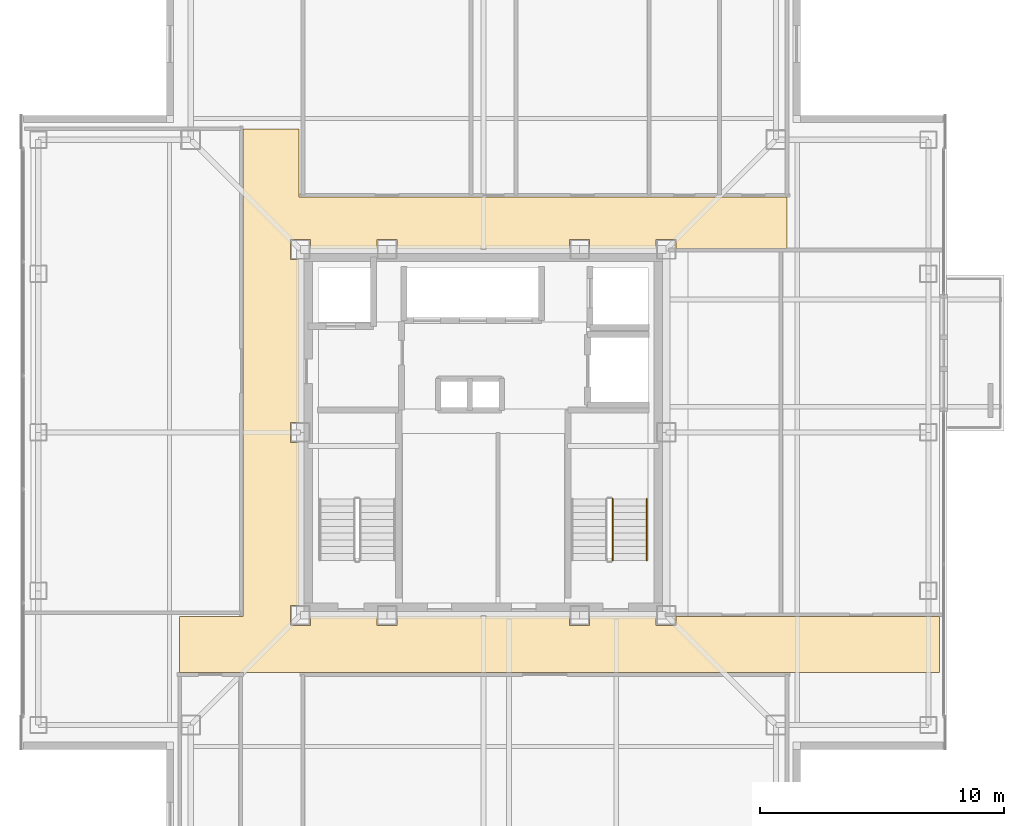
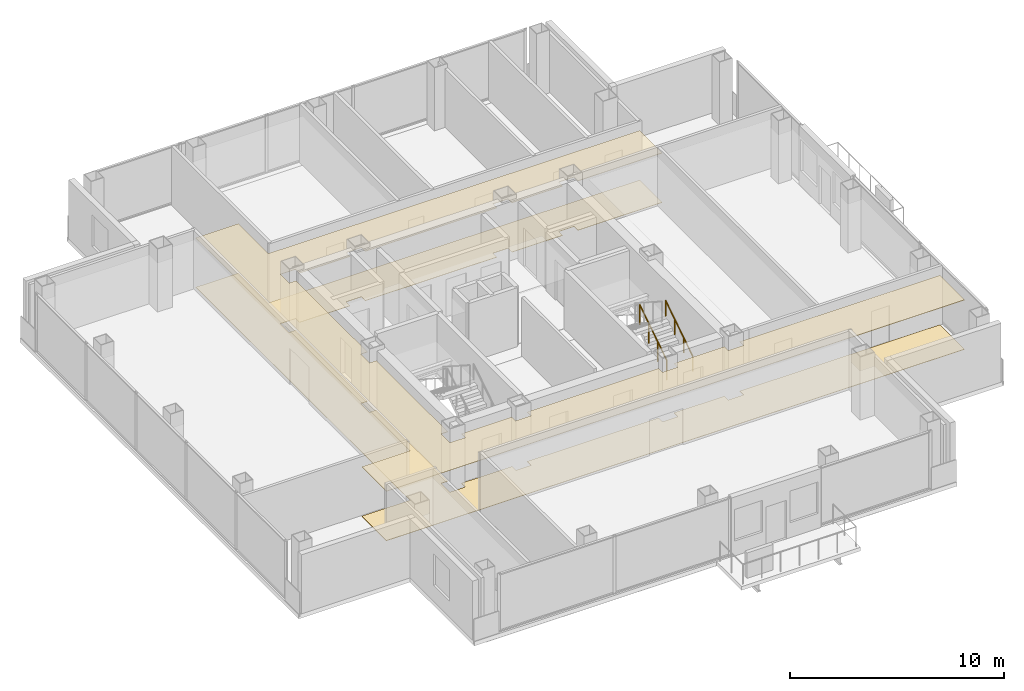
# One storey, part 13 of 15: 2 coverings, 2 railings.
"""IFC4 building model written with IfcOpenShell, lengths in metres."""

from ifc_helpers import new_model, si_unit, direction, frame, origin, origin_2d, place, context, subcontext, project, spatial, polyline, circle, outline, extrude, material, layer, layer_set, type_object, element, save


model = new_model("IFC4")

# Units and contexts
model_context = context("Model", 3, precision=1e-05, world=origin(), true_north=direction((0.0, 1.0)))
body_context = subcontext(model_context, "Body", "Model", "MODEL_VIEW")
ifc_project = project(units=[si_unit("LENGTHUNIT", "METRE"), si_unit("AREAUNIT", "SQUARE_METRE"), si_unit("VOLUMEUNIT", "CUBIC_METRE"), si_unit("PLANEANGLEUNIT", "RADIAN"), si_unit("MASSUNIT", "GRAM", prefix="KILO")], contexts=[model_context])

# Site, building, storey
site_placement = place(None, origin())
site = spatial("IfcSite", under=ifc_project, at=site_placement, CompositionType="ELEMENT")
building_placement = place(site_placement, origin())
building = spatial("IfcBuilding", under=site, at=building_placement, Name="Trevonay Congress Spire", CompositionType="ELEMENT")
storey_placement = place(building_placement, frame((0.0, 0.0, 243.199951171875)))
storey = spatial("IfcBuildingStorey", under=building, at=storey_placement, Name="L63", CompositionType="ELEMENT", Elevation=243.199951171875)

# Coverings
ifc_material_1 = material(Name="Acoustic Mineral Fibre Board", Category="gypsum")
ifc_layer_1 = layer(ifc_material_1, 0.02490234375, Name="Acoustic Mineral Fibre Board")
ifc_layer_set_1 = layer_set([ifc_layer_1], Name="Acoustic Mineral Fibre Board")
covering_type_1 = type_object("IfcCoveringType", Name="COV-CEIL-ACOUSTIC", PredefinedType="CEILING", material=ifc_layer_set_1)
covering_1_placement = place(storey_placement, frame((0.0, 0.0, 2.81005859375)))
element("IfcCovering", 1, at=covering_1_placement, inside=storey, type_object=covering_type_1, Name="L63 Cruciform Boulevard Corridor acoustic suspended ceiling", PredefinedType="CEILING", context=body_context, shape_type="SweptSolid", body=[
    extrude(outline(polyline([(18.699951171875, -7.550048828125), (18.699951171875, -9.85009765625), (-12.449951171875, -9.85009765625), (-12.449951171875, -7.550048828125), (-9.85009765625, -7.550048828125), (-9.85009765625, 12.449951171875), (-7.550048828125, 12.449951171875), (-7.550048828125, 9.64990234375), (12.449951171875, 9.64990234375), (12.449951171875, 7.550048828125), (7.909912109375, 7.550048828125), (7.909912109375, 7.909912109375), (7.090087890625, 7.909912109375), (7.090087890625, 7.550048828125), (4.360107421875, 7.550048828125), (4.360107421875, 7.909912109375), (3.5400390625, 7.909912109375), (3.5400390625, 7.550048828125), (-3.5400390625, 7.550048828125), (-3.5400390625, 7.909912109375), (-4.360107421875, 7.909912109375), (-4.360107421875, 7.550048828125), (-7.090087890625, 7.550048828125), (-7.090087890625, 7.909912109375), (-7.909912109375, 7.909912109375), (-7.909912109375, 7.090087890625), (-7.550048828125, 7.090087890625), (-7.550048828125, 0.409912109375), (-7.909912109375, 0.409912109375), (-7.909912109375, -0.409912109375), (-7.550048828125, -0.409912109375), (-7.550048828125, -7.090087890625), (-7.909912109375, -7.090087890625), (-7.909912109375, -7.909912109375), (-7.090087890625, -7.909912109375), (-7.090087890625, -7.550048828125), (-4.360107421875, -7.550048828125), (-4.360107421875, -7.909912109375), (-3.5400390625, -7.909912109375), (-3.5400390625, -7.550048828125), (3.5400390625, -7.550048828125), (3.5400390625, -7.909912109375), (4.360107421875, -7.909912109375), (4.360107421875, -7.550048828125), (7.090087890625, -7.550048828125), (7.090087890625, -7.909912109375), (7.909912109375, -7.909912109375), (7.909912109375, -7.550048828125), (18.699951171875, -7.550048828125)])), origin(), (0.0, 0.0, 1.0), 0.02490234375),
])
ifc_material_2 = material(Name="Polished Granite Floor Tile", Category="masonry")
ifc_layer_2 = layer(ifc_material_2, 0.02001953125, Name="Polished Granite Floor Tile")
ifc_layer_set_2 = layer_set([ifc_layer_2], Name="Polished Granite Floor Tile")
covering_type_2 = type_object("IfcCoveringType", Name="COV-FLOOR-STONE", PredefinedType="FLOORING", material=ifc_layer_set_2)
covering_2_placement = place(storey_placement, origin())
element("IfcCovering", 2, at=covering_2_placement, inside=storey, type_object=covering_type_2, Name="L63 Cruciform Boulevard Corridor floor finish", PredefinedType="FLOORING", context=body_context, shape_type="SweptSolid", body=[
    extrude(outline(polyline([(18.699951171875, -7.550048828125), (18.699951171875, -9.85009765625), (-12.449951171875, -9.85009765625), (-12.449951171875, -7.550048828125), (-9.85009765625, -7.550048828125), (-9.85009765625, 12.449951171875), (-7.550048828125, 12.449951171875), (-7.550048828125, 9.64990234375), (12.449951171875, 9.64990234375), (12.449951171875, 7.550048828125), (7.909912109375, 7.550048828125), (7.909912109375, 7.909912109375), (7.090087890625, 7.909912109375), (7.090087890625, 7.550048828125), (4.360107421875, 7.550048828125), (4.360107421875, 7.909912109375), (3.5400390625, 7.909912109375), (3.5400390625, 7.550048828125), (-3.5400390625, 7.550048828125), (-3.5400390625, 7.909912109375), (-4.360107421875, 7.909912109375), (-4.360107421875, 7.550048828125), (-7.090087890625, 7.550048828125), (-7.090087890625, 7.909912109375), (-7.909912109375, 7.909912109375), (-7.909912109375, 7.090087890625), (-7.550048828125, 7.090087890625), (-7.550048828125, 0.409912109375), (-7.909912109375, 0.409912109375), (-7.909912109375, -0.409912109375), (-7.550048828125, -0.409912109375), (-7.550048828125, -7.090087890625), (-7.909912109375, -7.090087890625), (-7.909912109375, -7.909912109375), (-7.090087890625, -7.909912109375), (-7.090087890625, -7.550048828125), (-4.360107421875, -7.550048828125), (-4.360107421875, -7.909912109375), (-3.5400390625, -7.909912109375), (-3.5400390625, -7.550048828125), (3.5400390625, -7.550048828125), (3.5400390625, -7.909912109375), (4.360107421875, -7.909912109375), (4.360107421875, -7.550048828125), (7.090087890625, -7.550048828125), (7.090087890625, -7.909912109375), (7.909912109375, -7.909912109375), (7.909912109375, -7.550048828125), (18.699951171875, -7.550048828125)])), origin(), (0.0, 0.0, 1.0), 0.02001953125),
])

# Railings
ifc_material_3 = material(Name="Pale Anodised Aluminium EN AW-6063-T6", Category="aluminium")
railing_type_1 = type_object("IfcRailingType", Name="RAL-STAIR-GUARD-110", PredefinedType="GUARDRAIL", material=ifc_material_3)
railing_1_placement = place(storey_placement, frame((5.300048828125, -5.25, 0.179931640625)))
element("IfcRailing", 3, at=railing_1_placement, inside=storey, type_object=railing_type_1, Name="L63 ST-2 stair guard 1", PredefinedType="GUARDRAIL", context=body_context, shape_type="SweptSolid", body=[
    extrude(circle(Radius=0.02392578125, at=origin_2d()), frame((0.0, 0.0, 1.1259765625), z_axis=(0.0, 0.841162588446, 0.540782303519), x_axis=(-1.0, 0.0, 0.0)), (0.0, 0.0, 1.0), 2.995849609375),
    extrude(circle(Radius=0.02099609375, at=origin_2d()), origin(), (0.0, 0.0, 1.0), 1.101806640625),
    extrude(circle(Radius=0.02099609375, at=origin_2d()), frame((0.0, 0.840087890625, 0.5400390625)), (0.0, 0.0, 1.0), 1.101806640625),
    extrude(circle(Radius=0.02099609375, at=origin_2d()), frame((0.0, 1.679931640625, 1.080078125)), (0.0, 0.0, 1.0), 1.101806640625),
    extrude(circle(Radius=0.02099609375, at=origin_2d()), frame((0.0, 2.52001953125, 1.6201171875)), (0.0, 0.0, 1.0), 1.101806640625),
])
railing_type_2 = type_object("IfcRailingType", Name="RAL-STAIR-HANDRAIL", PredefinedType="HANDRAIL", material=ifc_material_3)
railing_2_placement = place(storey_placement, frame((6.699951171875, -5.25, 0.179931640625)))
element("IfcRailing", 4, at=railing_2_placement, inside=storey, type_object=railing_type_2, Name="L63 ST-2 stair handrail 1", PredefinedType="HANDRAIL", context=body_context, shape_type="SweptSolid", body=[
    extrude(circle(Radius=0.02392578125, at=origin_2d()), frame((0.0, 0.0, 0.8759765625), z_axis=(0.0, 0.841162588446, 0.540782303519), x_axis=(-1.0, 0.0, 0.0)), (0.0, 0.0, 1.0), 2.995849609375),
    extrude(circle(Radius=0.02099609375, at=origin_2d()), origin(), (0.0, 0.0, 1.0), 0.851806640625),
    extrude(circle(Radius=0.02099609375, at=origin_2d()), frame((0.0, 0.840087890625, 0.5400390625)), (0.0, 0.0, 1.0), 0.851806640625),
    extrude(circle(Radius=0.02099609375, at=origin_2d()), frame((0.0, 1.679931640625, 1.080078125)), (0.0, 0.0, 1.0), 0.851806640625),
    extrude(circle(Radius=0.02099609375, at=origin_2d()), frame((0.0, 2.52001953125, 1.6201171875)), (0.0, 0.0, 1.0), 0.851806640625),
])

save(model, "model.ifc")
